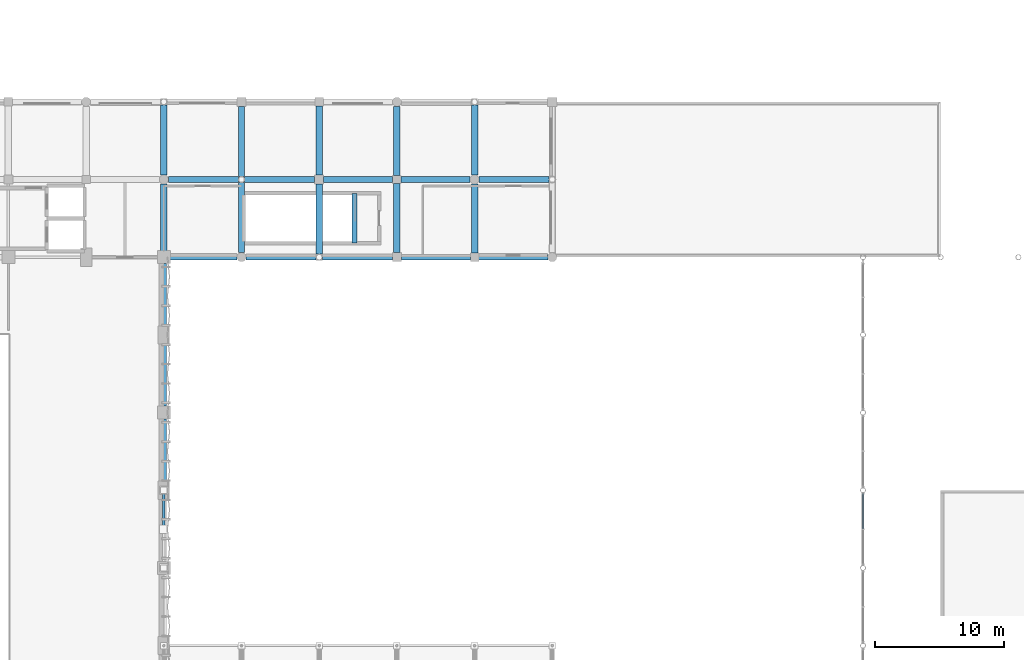
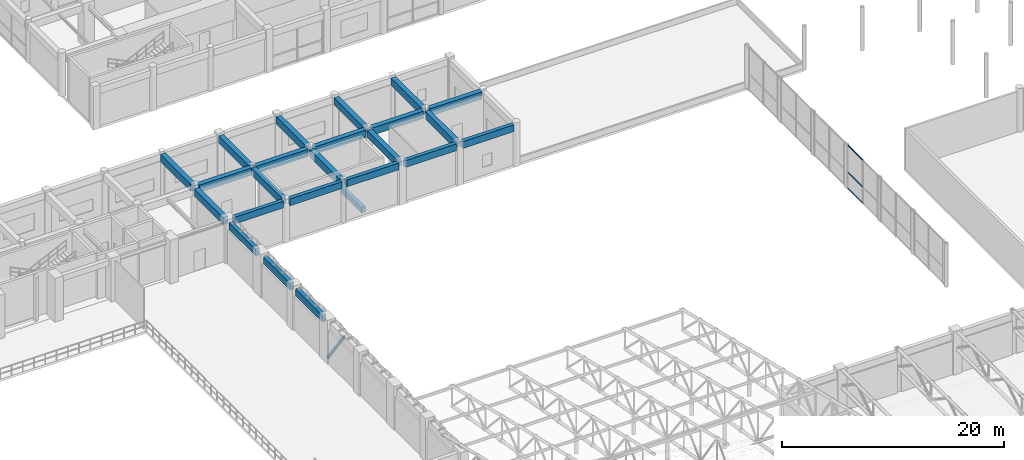
# One storey, part 48 of 123: 24 beams, 4 members, 1 element without a shape of its own.
"""IFC4 building model written with IfcOpenShell, lengths in metres."""

from ifc_helpers import new_model, si_unit, direction, frame, origin, origin_2d, place, context, subcontext, project, spatial, rectangle, hollow_rectangle, extrude, material, material_profile, profile_set, type_object, element, aggregate, save


model = new_model("IFC4")

# Units and contexts
model_context = context("Model", 3, precision=1e-05, world=origin(), true_north=direction((0.0, 1.0)))
body_context = subcontext(model_context, "Body", "Model", "MODEL_VIEW")
ifc_project = project(units=[si_unit("LENGTHUNIT", "METRE"), si_unit("AREAUNIT", "SQUARE_METRE"), si_unit("VOLUMEUNIT", "CUBIC_METRE"), si_unit("PLANEANGLEUNIT", "RADIAN"), si_unit("MASSUNIT", "GRAM", prefix="KILO"), si_unit("THERMODYNAMICTEMPERATUREUNIT", "KELVIN"), si_unit("POWERUNIT", "WATT")], contexts=[model_context])

# Site, building, storey
site_placement = place(None, origin())
site = spatial("IfcSite", under=ifc_project, at=site_placement, CompositionType="ELEMENT")
building_placement = place(site_placement, origin())
building = spatial("IfcBuilding", under=site, at=building_placement, Name="Phaisarnlok Congress Hotel", CompositionType="ELEMENT")
storey_placement = place(building_placement, frame((0.0, 0.0, 15.0)))
storey = spatial("IfcBuildingStorey", under=building, at=storey_placement, Name="L03", CompositionType="ELEMENT", Elevation=15.0)

# Beams
ifc_material_1 = material(Name="Concrete C40/50", Category="concrete")
ifc_material_profile_1 = material_profile(ifc_material_1, rectangle(XDim=0.39990234375, YDim=0.60009765625, at=origin_2d()), Name="RC 400x600")
ifc_profile_set_1 = profile_set([ifc_material_profile_1], Name="Concrete C40/50")
beam_type_1 = type_object("IfcBeamType", Name="BM-RC-400x600", PredefinedType="BEAM", material=ifc_profile_set_1)
beam_1_placement = place(storey_placement, frame((80.719970703125, 85.080078125, -0.300048828125), z_axis=(0.0, 1.0, 0.0), x_axis=(-1.0, 0.0, 0.0)))
element("IfcBeam", 1, at=beam_1_placement, inside=storey, type_object=beam_type_1, Name="Stair landing header beam B-02 (STAIR-POD-C L03)", PredefinedType="BEAM", context=body_context, shape_type="SweptSolid", body=[
    extrude(rectangle(XDim=0.39990234375, YDim=0.60009765625, at=origin_2d()), origin(), (0.0, 0.0, 1.0), 3.83984375),
])
ifc_material_profile_2 = material_profile(ifc_material_1, rectangle(XDim=0.5, YDim=0.800048828125, at=origin_2d()), Name="RC 500x800")
ifc_profile_set_2 = profile_set([ifc_material_profile_2], Name="Concrete C40/50")
beam_type_2 = type_object("IfcBeamType", Name="BM-RC-500x800", PredefinedType="BEAM", material=ifc_profile_set_2)
beam_2_placement = place(storey_placement, frame((66.0, 84.4951171875, 4.050048828125), z_axis=(0.0, 1.0, 0.0), x_axis=(-1.0, 0.0, 0.0)))
element("IfcBeam", 2, at=beam_2_placement, inside=storey, type_object=beam_type_2, Name="Beam B-04", PredefinedType="BEAM", context=body_context, shape_type="SweptSolid", body=[
    extrude(rectangle(XDim=0.5, YDim=0.800048828125, at=origin_2d()), origin(), (0.0, 0.0, 1.0), 5.159912109375),
])
for number, where, z_axis, x_axis, name in (
    (3, (66.344970703125, 90.0, 4.195068359375), (1.0, 0.0, 0.0), (0.0, 1.0, 0.0), "Beam B-04"),
    (4, (66.0, 90.344970703125, 4.159912109375), (0.0, 1.0, 0.0), (-1.0, 0.0, 0.0), "Beam B-04"),
    (5, (72.0, 84.344970703125, 4.195068359375), (0.0, 1.0, 0.0), (-1.0, 0.0, 0.0), "Beam B-04"),
    (6, (72.2490234375, 90.0, 4.195068359375), (1.0, 0.0, 0.0), (0.0, 1.0, 0.0), "Beam B-04"),
    (7, (72.0, 90.2490234375, 4.159912109375), (0.0, 1.0, 0.0), (-1.0, 0.0, 0.0), "Beam B-04"),
    (8, (78.0, 84.2490234375, 4.195068359375), (0.0, 1.0, 0.0), (-1.0, 0.0, 0.0), "Beam B-04"),
):
    element("IfcBeam", number, at=place(storey_placement, frame(where, z_axis=z_axis, x_axis=x_axis)), inside=storey, type_object=beam_type_2, Name=name, PredefinedType="BEAM", context=body_context, shape_type="SweptSolid", body=[
        extrude(rectangle(XDim=0.5, YDim=0.800048828125, at=origin_2d()), origin(), (0.0, 0.0, 1.0), 5.406005859375),
    ])
for number, where, z_axis, x_axis, name in (
    (9, (78.344970703125, 90.0, 4.195068359375), (1.0, 0.0, 0.0), (0.0, 1.0, 0.0), "Beam B-04"),
    (10, (78.0, 90.344970703125, 4.159912109375), (0.0, 1.0, 0.0), (-1.0, 0.0, 0.0), "Beam B-04"),
    (11, (84.0, 84.344970703125, 4.195068359375), (0.0, 1.0, 0.0), (-1.0, 0.0, 0.0), "Beam B-04"),
    (12, (84.320068359375, 90.0, 4.195068359375), (1.0, 0.0, 0.0), (0.0, 1.0, 0.0), "Beam B-04"),
    (13, (84.0, 90.320068359375, 4.159912109375), (0.0, 1.0, 0.0), (-1.0, 0.0, 0.0), "Beam B-04"),
    (14, (90.0, 84.320068359375, 4.195068359375), (0.0, 1.0, 0.0), (-1.0, 0.0, 0.0), "Beam B-04"),
):
    element("IfcBeam", number, at=place(storey_placement, frame(where, z_axis=z_axis, x_axis=x_axis)), inside=storey, type_object=beam_type_2, Name=name, PredefinedType="BEAM", context=body_context, shape_type="SweptSolid", body=[
        extrude(rectangle(XDim=0.5, YDim=0.800048828125, at=origin_2d()), origin(), (0.0, 0.0, 1.0), 5.3349609375),
    ])
for number, where, z_axis, x_axis, name in (
    (15, (90.344970703125, 90.0, 4.195068359375), (1.0, 0.0, 0.0), (0.0, 1.0, 0.0), "Beam B-04"),
    (16, (90.0, 90.344970703125, 4.159912109375), (0.0, 1.0, 0.0), (-1.0, 0.0, 0.0), "Beam B-04"),
):
    element("IfcBeam", number, at=place(storey_placement, frame(where, z_axis=z_axis, x_axis=x_axis)), inside=storey, type_object=beam_type_2, Name=name, PredefinedType="BEAM", context=body_context, shape_type="SweptSolid", body=[
        extrude(rectangle(XDim=0.5, YDim=0.800048828125, at=origin_2d()), origin(), (0.0, 0.0, 1.0), 5.406005859375),
    ])

# Curtain wall, members
ifc_material_2 = material(Name="Thermally Broken Unitised Aluminium & Low-E Glazing", Category="aluminium")
curtain_wall_type = type_object("IfcCurtainWallType", Name="CW-UNIT-47", PredefinedType="NOTDEFINED", material=ifc_material_2)
curtain_wall_placement = place(storey_placement, origin())
curtain_wall = element("IfcCurtainWall", 17, at=curtain_wall_placement, inside=storey, type_object=curtain_wall_type, Name="Unitised curtain wall CW-47 (L03)", PredefinedType="NOTDEFINED")
ifc_material_3 = material(Name="Anodised Aluminium Alloy 6063-T6", Category="aluminium")
ifc_material_profile_3 = material_profile(ifc_material_3, hollow_rectangle(XDim=0.06494140625, YDim=0.139892578125, WallThickness=0.00390625, at=origin_2d()), Name="ALU-T 65x140x4")
ifc_profile_set_3 = profile_set([ifc_material_profile_3], Name="Anodised Aluminium Alloy 6063-T6")
member_type_1 = type_object("IfcMemberType", Name="CWT-150", PredefinedType="USERDEFINED", material=ifc_profile_set_3)
member_1_placement = place(storey_placement, frame((120.0, 65.739990234375, 0.0400390625), z_axis=(0.0, -1.0, 0.0), x_axis=(1.0, 0.0, 0.0)))
member_1 = element("IfcMember", 18, at=member_1_placement, type_object=member_type_1, Name="Curtain wall transom CWT-01", ObjectType="TRANSOM", PredefinedType="USERDEFINED", context=body_context, shape_type="SweptSolid", body=[
    extrude(hollow_rectangle(XDim=0.06494140625, YDim=0.139892578125, WallThickness=0.00390625, at=origin_2d()), origin(), (0.0, 0.0, 1.0), 2.72509765625),
])
member_2_placement = place(storey_placement, frame((120.0, 65.739990234375, 1.821533203125), z_axis=(0.0, -1.0, 0.0), x_axis=(1.0, 0.0, 0.0)))
member_2 = element("IfcMember", 19, at=member_2_placement, type_object=member_type_1, Name="Curtain wall transom CWT-01", ObjectType="TRANSOM", PredefinedType="USERDEFINED", context=body_context, shape_type="SweptSolid", body=[
    extrude(hollow_rectangle(XDim=0.06494140625, YDim=0.139892578125, WallThickness=0.00390625, at=origin_2d()), origin(), (0.0, 0.0, 1.0), 2.72509765625),
])
member_3_placement = place(storey_placement, frame((120.0, 65.739990234375, 4.760009765625), z_axis=(0.0, -1.0, 0.0), x_axis=(1.0, 0.0, 0.0)))
member_3 = element("IfcMember", 20, at=member_3_placement, type_object=member_type_1, Name="Curtain wall transom CWT-01", ObjectType="TRANSOM", PredefinedType="USERDEFINED", context=body_context, shape_type="SweptSolid", body=[
    extrude(hollow_rectangle(XDim=0.06494140625, YDim=0.139892578125, WallThickness=0.00390625, at=origin_2d()), origin(), (0.0, 0.0, 1.0), 2.72509765625),
])
aggregate(curtain_wall, [member_1, member_2, member_3])

# Member
ifc_material_4 = material(Name="Steel S355", Category="steel")
ifc_material_profile_4 = material_profile(ifc_material_4, hollow_rectangle(XDim=0.219970703125, YDim=0.219970703125, WallThickness=0.012451171875, at=origin_2d()), Name="SHS 220x220x12.5")
ifc_profile_set_4 = profile_set([ifc_material_profile_4], Name="Steel S355")
member_type_2 = type_object("IfcMemberType", Name="MEM-BRC-SHS220", PredefinedType="BRACE", material=ifc_profile_set_4)
member_4_placement = place(storey_placement, frame((66.0, 66.0, 0.14990234375), z_axis=(0.0, -0.583059052244, 0.812429776409), x_axis=(1.0, 0.0, 0.0)))
element("IfcMember", 21, at=member_4_placement, inside=storey, type_object=member_type_2, Name="Lateral braced frame diagonal", PredefinedType="BRACE", context=body_context, shape_type="SweptSolid", body=[
    extrude(hollow_rectangle(XDim=0.219970703125, YDim=0.219970703125, WallThickness=0.012451171875, at=origin_2d()), origin(), (0.0, 0.0, 1.0), 5.145263671875),
])

# Beams
ifc_material_profile_5 = material_profile(ifc_material_1, rectangle(XDim=0.39990234375, YDim=0.75, at=origin_2d()), Name="RC 400x750")
ifc_profile_set_5 = profile_set([ifc_material_profile_5], Name="Concrete C40/50")
beam_type_3 = type_object("IfcBeamType", Name="SP-RC-400x750", PredefinedType="SPANDREL", material=ifc_profile_set_5)
for number, where, z_axis, x_axis, name in (
    (22, (66.0, 66.695068359375, 4.074951171875), (0.0, 1.0, 0.0), (-1.0, 0.0, 0.0), "Beam SP-02"),
    (23, (66.0, 72.4951171875, 4.074951171875), (0.0, 1.0, 0.0), (-1.0, 0.0, 0.0), "Beam SP-02"),
    (24, (66.0, 78.695068359375, 4.074951171875), (0.0, 1.0, 0.0), (-1.0, 0.0, 0.0), "Beam SP-02"),
):
    element("IfcBeam", number, at=place(storey_placement, frame(where, z_axis=z_axis, x_axis=x_axis)), inside=storey, type_object=beam_type_3, Name=name, PredefinedType="SPANDREL", context=body_context, shape_type="SweptSolid", body=[
        extrude(rectangle(XDim=0.39990234375, YDim=0.75, at=origin_2d()), origin(), (0.0, 0.0, 1.0), 4.809814453125),
    ])
beam_3_placement = place(storey_placement, frame((66.4951171875, 84.0, 4.219970703125), z_axis=(1.0, 0.0, 0.0), x_axis=(0.0, 1.0, 0.0)))
element("IfcBeam", 25, at=beam_3_placement, inside=storey, type_object=beam_type_3, Name="Beam SP-02", PredefinedType="SPANDREL", context=body_context, shape_type="SweptSolid", body=[
    extrude(rectangle(XDim=0.39990234375, YDim=0.75, at=origin_2d()), origin(), (0.0, 0.0, 1.0), 5.159912109375),
])
for number, where, z_axis, x_axis, name in (
    (26, (72.344970703125, 84.0, 4.219970703125), (1.0, 0.0, 0.0), (0.0, 1.0, 0.0), "Beam SP-02"),
    (27, (78.2490234375, 84.0, 4.219970703125), (1.0, 0.0, 0.0), (0.0, 1.0, 0.0), "Beam SP-02"),
):
    element("IfcBeam", number, at=place(storey_placement, frame(where, z_axis=z_axis, x_axis=x_axis)), inside=storey, type_object=beam_type_3, Name=name, PredefinedType="SPANDREL", context=body_context, shape_type="SweptSolid", body=[
        extrude(rectangle(XDim=0.39990234375, YDim=0.75, at=origin_2d()), origin(), (0.0, 0.0, 1.0), 5.406005859375),
    ])
for number, where, z_axis, x_axis, name in (
    (28, (84.344970703125, 84.0, 4.219970703125), (1.0, 0.0, 0.0), (0.0, 1.0, 0.0), "Beam SP-02"),
    (29, (90.320068359375, 84.0, 4.219970703125), (1.0, 0.0, 0.0), (0.0, 1.0, 0.0), "Beam SP-02"),
):
    element("IfcBeam", number, at=place(storey_placement, frame(where, z_axis=z_axis, x_axis=x_axis)), inside=storey, type_object=beam_type_3, Name=name, PredefinedType="SPANDREL", context=body_context, shape_type="SweptSolid", body=[
        extrude(rectangle(XDim=0.39990234375, YDim=0.75, at=origin_2d()), origin(), (0.0, 0.0, 1.0), 5.3349609375),
    ])

save(model, "model.ifc")
